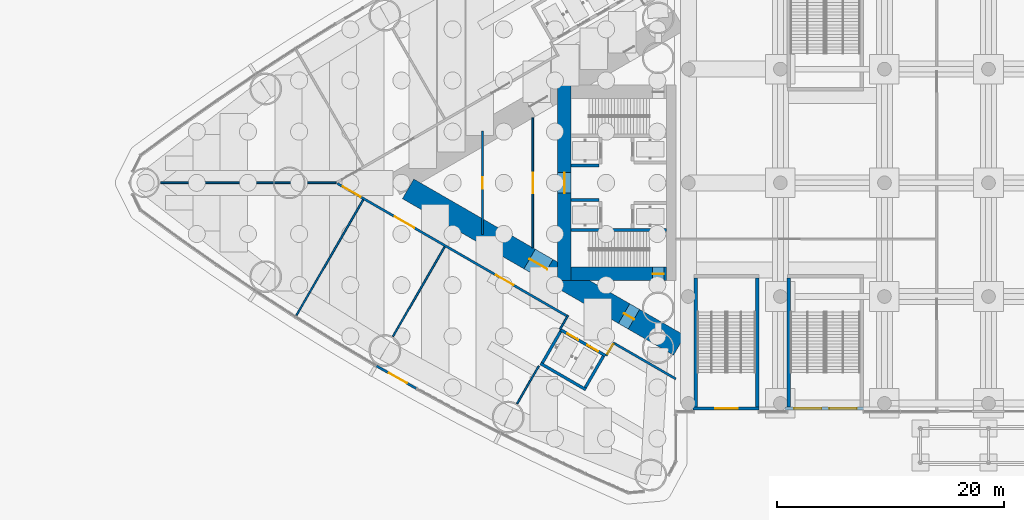
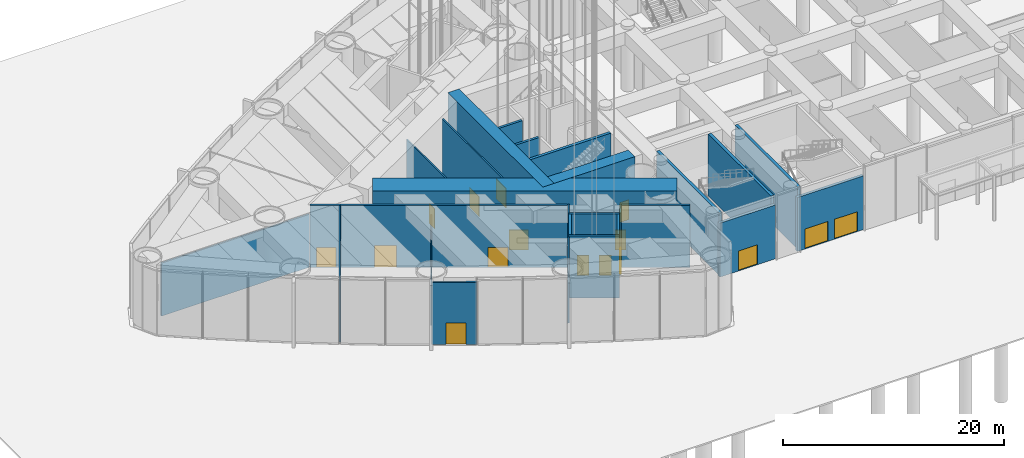
# One storey, part 20 of 43: 26 walls, 16 doors, 16 openings.
"""IFC4 building model written with IfcOpenShell, lengths in metres."""

from ifc_helpers import new_model, si_unit, direction, frame, frame_2d, origin, place, context, subcontext, project, spatial, rectangle, extrude, material, layer, layer_set, type_object, element, fill, save


model = new_model("IFC4")

# Units and contexts
model_context = context("Model", 3, precision=1e-05, world=origin(), true_north=direction((0.0, 1.0)))
body_context = subcontext(model_context, "Body", "Model", "MODEL_VIEW")
ifc_project = project(units=[si_unit("LENGTHUNIT", "METRE"), si_unit("AREAUNIT", "SQUARE_METRE"), si_unit("VOLUMEUNIT", "CUBIC_METRE"), si_unit("PLANEANGLEUNIT", "RADIAN"), si_unit("MASSUNIT", "GRAM", prefix="KILO")], contexts=[model_context])

# Site, building, storey
site_placement = place(None, origin())
site = spatial("IfcSite", under=ifc_project, at=site_placement, CompositionType="ELEMENT")
building_placement = place(site_placement, origin())
building = spatial("IfcBuilding", under=site, at=building_placement, Name="Lancet Gate Hotel", CompositionType="ELEMENT")
storey_placement = place(building_placement, origin())
storey = spatial("IfcBuildingStorey", under=building, at=storey_placement, Name="L00", CompositionType="ELEMENT", Elevation=0.0)

# Wall, openings, doors
ifc_material_1 = material(Name="Concrete C70/85", Category="concrete")
ifc_layer_1 = layer(ifc_material_1, 2.0)
ifc_layer_set_1 = layer_set([ifc_layer_1], Name="Buttress wall 2000")
wall_type_1 = type_object("IfcWallType", Name="Buttress wall 2000", PredefinedType="SHEAR", material=ifc_layer_set_1)
wall_1_placement = place(storey_placement, frame((-27.199951171875, -14.300048828125, 0.0), z_axis=(0.0, 0.0, 1.0), x_axis=(-0.866024044937, 0.500002353585, 0.0)))
wall_1 = element("IfcWall", 1, at=wall_1_placement, inside=storey, type_object=wall_type_1, Name="T1 buttress wall N L00", PredefinedType="SHEAR", context=body_context, shape_type="SweptSolid", body=[
    extrude(rectangle(XDim=27.533447265625, YDim=2.0, at=frame_2d((13.7666015625, 0.0))), origin(), (0.0, 0.0, 1.0), 7.199951171875),
])
opening_1_placement = place(wall_1_placement, frame((4.60009765625, 0.0, 0.0)))
opening_1 = element("IfcOpeningElement", 2, at=opening_1_placement, cuts=wall_1, Name="Opening T1-L00-LN", PredefinedType="OPENING", context=body_context, shape_type="SweptSolid", body=[
    extrude(rectangle(XDim=1.0, YDim=2.199951171875, at=frame_2d((0.5, 1.10009765625))), frame((0.0, 1.010009765625, 0.0), z_axis=(0.0, -1.0, 0.0), x_axis=(1.0, 0.0, 0.0)), (0.0, 0.0, 1.0), 2.02001953125),
])
opening_2_placement = place(wall_1_placement, frame((13.39453125, 0.0, 0.0)))
opening_2 = element("IfcOpeningElement", 3, at=opening_2_placement, cuts=wall_1, Name="Opening T1-L00-LHN", PredefinedType="OPENING", context=body_context, shape_type="SweptSolid", body=[
    extrude(rectangle(XDim=1.800048828125, YDim=2.199951171875, at=frame_2d((0.89990234375, 1.10009765625))), frame((0.0, 1.010009765625, 0.0), z_axis=(0.0, -1.0, 0.0), x_axis=(1.0, 0.0, 0.0)), (0.0, 0.0, 1.0), 2.02001953125),
])
ifc_material_2 = material(Name="Timber door set", Category="wood")
door_type_1 = type_object("IfcDoorType", Name="Lobby double door 1800", OperationType="DOUBLE_DOOR_SINGLE_SWING", PredefinedType="DOOR", material=ifc_material_2)
door_1_placement = place(opening_2_placement, origin())
door_1 = element("IfcDoor", 4, at=door_1_placement, inside=storey, type_object=door_type_1, Name="T1-L00-LHN", OperationType="DOUBLE_DOOR_SINGLE_SWING", OverallHeight=2.199951171875, OverallWidth=1.800048828125, PredefinedType="DOOR", context=body_context, shape_type="SweptSolid", body=[
    extrude(rectangle(XDim=1.800048828125, YDim=2.199951171875, at=frame_2d((0.89990234375, 1.10009765625))), frame((0.0, 0.02490234375, 0.0), z_axis=(0.0, -1.0, 0.0), x_axis=(1.0, 0.0, 0.0)), (0.0, 0.0, 1.0), 0.050048828125),
])
fill(opening_2, door_1)
ifc_material_3 = material(Name="Timber door set", Category="wood")
door_type_2 = type_object("IfcDoorType", Name="Stair lobby door 1000", OperationType="SINGLE_SWING_LEFT", PredefinedType="DOOR", material=ifc_material_3)
door_2_placement = place(opening_1_placement, origin())
door_2 = element("IfcDoor", 5, at=door_2_placement, inside=storey, type_object=door_type_2, Name="T1-L00-LN", OperationType="SINGLE_SWING_LEFT", OverallHeight=2.199951171875, OverallWidth=1.0, PredefinedType="DOOR", context=body_context, shape_type="SweptSolid", body=[
    extrude(rectangle(XDim=1.0, YDim=2.199951171875, at=frame_2d((0.5, 1.10009765625))), frame((0.0, 0.02490234375, 0.0), z_axis=(0.0, -1.0, 0.0), x_axis=(1.0, 0.0, 0.0)), (0.0, 0.0, 1.0), 0.050048828125),
])
fill(opening_1, door_2)

# Wall, opening, door
ifc_material_4 = material(Name="Concrete C70/85", Category="concrete")
ifc_layer_2 = layer(ifc_material_4, 1.199951171875)
ifc_layer_set_2 = layer_set([ifc_layer_2], Name="Core wall 1200")
wall_type_2 = type_object("IfcWallType", Name="Core wall 1200", PredefinedType="SHEAR", material=ifc_layer_set_2)
wall_2_placement = place(storey_placement, frame((-37.300048828125, 8.60009765625, 0.0), z_axis=(0.0, 0.0, 1.0), x_axis=(0.0, -1.0, 0.0)))
wall_2 = element("IfcWall", 6, at=wall_2_placement, inside=storey, type_object=wall_type_2, Name="T1 core wall back L00", PredefinedType="SHEAR", context=body_context, shape_type="SweptSolid", body=[
    extrude(rectangle(XDim=17.2001953125, YDim=1.199951171875, at=frame_2d((8.60009765625, 0.0))), origin(), (0.0, 0.0, 1.0), 7.199951171875),
])
opening_3_placement = place(wall_2_placement, frame((7.699951171875, 0.0, 0.0)))
opening_3 = element("IfcOpeningElement", 7, at=opening_3_placement, cuts=wall_2, Name="Opening T1-L00-LL", PredefinedType="OPENING", context=body_context, shape_type="SweptSolid", body=[
    extrude(rectangle(XDim=1.800048828125, YDim=2.199951171875, at=frame_2d((0.89990234375, 1.10009765625))), frame((0.0, 0.60986328125, 0.0), z_axis=(0.0, -1.0, 0.0), x_axis=(1.0, 0.0, 0.0)), (0.0, 0.0, 1.0), 1.219970703125),
])
door_3_placement = place(opening_3_placement, origin())
door_3 = element("IfcDoor", 8, at=door_3_placement, inside=storey, type_object=door_type_1, Name="T1-L00-LL", OperationType="DOUBLE_DOOR_SINGLE_SWING", OverallHeight=2.199951171875, OverallWidth=1.800048828125, PredefinedType="DOOR", context=body_context, shape_type="SweptSolid", body=[
    extrude(rectangle(XDim=1.800048828125, YDim=2.199951171875, at=frame_2d((0.89990234375, 1.10009765625))), frame((0.0, 0.02490234375, 0.0), z_axis=(0.0, -1.0, 0.0), x_axis=(1.0, 0.0, 0.0)), (0.0, 0.0, 1.0), 0.050048828125),
])
fill(opening_3, door_3)

wall_3_placement = place(storey_placement, frame((-28.300048828125, -8.0, 0.0), z_axis=(0.0, 0.0, 1.0), x_axis=(-1.0, 0.0, 0.0)))
wall_3 = element("IfcWall", 9, at=wall_3_placement, inside=storey, type_object=wall_type_2, Name="T1 core wall side-N L00", PredefinedType="SHEAR", context=body_context, shape_type="SweptSolid", body=[
    extrude(rectangle(XDim=8.39990234375, YDim=1.199951171875, at=frame_2d((4.199951171875, 0.0))), origin(), (0.0, 0.0, 1.0), 7.199951171875),
])
opening_4_placement = place(wall_3_placement, frame((0.25, 0.0, 0.0)))
opening_4 = element("IfcOpeningElement", 10, at=opening_4_placement, cuts=wall_3, Name="Opening T1-L00-ST2", PredefinedType="OPENING", context=body_context, shape_type="SweptSolid", body=[
    extrude(rectangle(XDim=1.0, YDim=2.199951171875, at=frame_2d((0.5, 1.10009765625))), frame((0.0, 0.60986328125, 0.0), z_axis=(0.0, -1.0, 0.0), x_axis=(1.0, 0.0, 0.0)), (0.0, 0.0, 1.0), 1.219970703125),
])
ifc_material_5 = material(Name="Timber door set", Category="wood")
door_type_3 = type_object("IfcDoorType", Name="Stair door 1000", OperationType="SINGLE_SWING_RIGHT", PredefinedType="DOOR", material=ifc_material_5)
door_4_placement = place(opening_4_placement, origin())
door_4 = element("IfcDoor", 11, at=door_4_placement, inside=storey, type_object=door_type_3, Name="T1-L00-ST2", OperationType="SINGLE_SWING_RIGHT", OverallHeight=2.199951171875, OverallWidth=1.0, PredefinedType="DOOR", context=body_context, shape_type="SweptSolid", body=[
    extrude(rectangle(XDim=1.0, YDim=2.199951171875, at=frame_2d((0.5, 1.10009765625))), frame((0.0, 0.02490234375, 0.0), z_axis=(0.0, -1.0, 0.0), x_axis=(1.0, 0.0, 0.0)), (0.0, 0.0, 1.0), 0.050048828125),
])
fill(opening_4, door_4)

# Wall
ifc_material_6 = material(Name="Gypsum board partition")
ifc_layer_3 = layer(ifc_material_6, 0.199951171875)
ifc_layer_set_3 = layer_set([ifc_layer_3], Name="Corridor wall 200")
wall_type_3 = type_object("IfcWallType", Name="Corridor wall 200", PredefinedType="PARTITIONING", material=ifc_layer_set_3)
wall_4_placement = place(storey_placement, frame((-27.5, -17.244384765625, 0.0), z_axis=(0.0, 0.0, 1.0), x_axis=(-0.866027347857, 0.499996632752, 0.0)))
element("IfcWall", 12, at=wall_4_placement, inside=storey, type_object=wall_type_3, Name="T1 corridor wall 200 L00", PredefinedType="PARTITIONING", context=body_context, shape_type="SweptSolid", body=[
    extrude(rectangle(XDim=6.26904296875, YDim=0.199951171875, at=frame_2d((3.134521484375, 0.0))), origin(), (0.0, 0.0, 1.0), 6.85009765625),
])

# Wall, openings, doors
wall_5_placement = place(storey_placement, frame((-37.1201171875, -11.690185546875, 0.0), z_axis=(0.0, 0.0, 1.0), x_axis=(-0.866028803602, 0.499994111297, 0.0)))
wall_5 = element("IfcWall", 13, at=wall_5_placement, inside=storey, type_object=wall_type_3, Name="T1 corridor wall 200 L00", PredefinedType="PARTITIONING", context=body_context, shape_type="SweptSolid", body=[
    extrude(rectangle(XDim=23.260498046875, YDim=0.199951171875, at=frame_2d((11.63037109375, 0.0))), origin(), (0.0, 0.0, 1.0), 6.85009765625),
])
opening_5_placement = place(wall_5_placement, frame((20.909423828125, 0.0, 0.0)))
opening_5 = element("IfcOpeningElement", 14, at=opening_5_placement, cuts=wall_5, Name="Opening T1-L00-P005", PredefinedType="OPENING", context=body_context, shape_type="SweptSolid", body=[
    extrude(rectangle(XDim=1.800048828125, YDim=2.199951171875, at=frame_2d((0.89990234375, 1.10009765625))), frame((0.0, 0.10986328125, 0.0), z_axis=(0.0, -1.0, 0.0), x_axis=(1.0, 0.0, 0.0)), (0.0, 0.0, 1.0), 0.219970703125),
])
opening_6_placement = place(wall_5_placement, frame((15.4443359375, 0.0, 0.0)))
opening_6 = element("IfcOpeningElement", 15, at=opening_6_placement, cuts=wall_5, Name="Opening T1-L00-P006", PredefinedType="OPENING", context=body_context, shape_type="SweptSolid", body=[
    extrude(rectangle(XDim=2.0, YDim=2.39990234375, at=frame_2d((1.0, 1.199951171875))), frame((0.0, 0.10986328125, 0.0), z_axis=(0.0, -1.0, 0.0), x_axis=(1.0, 0.0, 0.0)), (0.0, 0.0, 1.0), 0.219970703125),
])
opening_7_placement = place(wall_5_placement, frame((5.364990234375, 0.0, 0.0)))
opening_7 = element("IfcOpeningElement", 16, at=opening_7_placement, cuts=wall_5, Name="Opening T1-L00-P007", PredefinedType="OPENING", context=body_context, shape_type="SweptSolid", body=[
    extrude(rectangle(XDim=1.800048828125, YDim=2.199951171875, at=frame_2d((0.89990234375, 1.10009765625))), frame((0.0, 0.10986328125, 0.0), z_axis=(0.0, -1.0, 0.0), x_axis=(1.0, 0.0, 0.0)), (0.0, 0.0, 1.0), 0.219970703125),
])
ifc_material_7 = material(Name="Timber door set", Category="wood")
door_type_4 = type_object("IfcDoorType", Name="Double door 1800", OperationType="DOUBLE_DOOR_SINGLE_SWING", PredefinedType="DOOR", material=ifc_material_7)
door_5_placement = place(opening_5_placement, origin())
door_5 = element("IfcDoor", 17, at=door_5_placement, inside=storey, type_object=door_type_4, Name="T1-L00-P005", OperationType="DOUBLE_DOOR_SINGLE_SWING", OverallHeight=2.199951171875, OverallWidth=1.800048828125, PredefinedType="DOOR", context=body_context, shape_type="SweptSolid", body=[
    extrude(rectangle(XDim=1.800048828125, YDim=2.199951171875, at=frame_2d((0.89990234375, 1.10009765625))), frame((0.0, 0.02490234375, 0.0), z_axis=(0.0, -1.0, 0.0), x_axis=(1.0, 0.0, 0.0)), (0.0, 0.0, 1.0), 0.050048828125),
])
fill(opening_5, door_5)
door_6_placement = place(opening_7_placement, origin())
door_6 = element("IfcDoor", 18, at=door_6_placement, inside=storey, type_object=door_type_4, Name="T1-L00-P007", OperationType="DOUBLE_DOOR_SINGLE_SWING", OverallHeight=2.199951171875, OverallWidth=1.800048828125, PredefinedType="DOOR", context=body_context, shape_type="SweptSolid", body=[
    extrude(rectangle(XDim=1.800048828125, YDim=2.199951171875, at=frame_2d((0.89990234375, 1.10009765625))), frame((0.0, 0.02490234375, 0.0), z_axis=(0.0, -1.0, 0.0), x_axis=(1.0, 0.0, 0.0)), (0.0, 0.0, 1.0), 0.050048828125),
])
fill(opening_7, door_6)
ifc_material_8 = material(Name="Timber door set", Category="wood")
door_type_5 = type_object("IfcDoorType", Name="Plant room double door 2000", OperationType="DOUBLE_DOOR_SINGLE_SWING", PredefinedType="DOOR", material=ifc_material_8)
door_7_placement = place(opening_6_placement, origin())
door_7 = element("IfcDoor", 19, at=door_7_placement, inside=storey, type_object=door_type_5, Name="T1-L00-P006", OperationType="DOUBLE_DOOR_SINGLE_SWING", OverallHeight=2.39990234375, OverallWidth=2.0, PredefinedType="DOOR", context=body_context, shape_type="SweptSolid", body=[
    extrude(rectangle(XDim=2.0, YDim=2.39990234375, at=frame_2d((1.0, 1.199951171875))), frame((0.0, 0.02490234375, 0.0), z_axis=(0.0, -1.0, 0.0), x_axis=(1.0, 0.0, 0.0)), (0.0, 0.0, 1.0), 0.050048828125),
])
fill(opening_6, door_7)

# Wall, opening, door
ifc_material_9 = material(Name="Glazed aluminium screen", Category="aluminium")
ifc_layer_4 = layer(ifc_material_9, 0.199951171875)
ifc_layer_set_4 = layer_set([ifc_layer_4], Name="Glazed entrance screen 200")
wall_type_4 = type_object("IfcWallType", Name="Glazed entrance screen 200", PredefinedType="STANDARD", material=ifc_layer_set_4)
wall_6_placement = place(storey_placement, frame((-50.26416015625, -18.1259765625, 0.0), z_axis=(0.0, 0.0, 1.0), x_axis=(-0.870206768985, 0.49268669478, 0.0)))
wall_6 = element("IfcWall", 20, at=wall_6_placement, inside=storey, type_object=wall_type_4, Name="T1 entrance screen L00", PredefinedType="STANDARD", context=body_context, shape_type="SweptSolid", body=[
    extrude(rectangle(XDim=4.14013671875, YDim=0.199951171875, at=frame_2d((2.070068359375, 0.0))), origin(), (0.0, 0.0, 1.0), 6.85009765625),
])
opening_8_placement = place(wall_6_placement, frame((1.02001953125, 0.0, 0.0)))
opening_8 = element("IfcOpeningElement", 21, at=opening_8_placement, cuts=wall_6, Name="Opening T1-ENT-N", PredefinedType="OPENING", context=body_context, shape_type="SweptSolid", body=[
    extrude(rectangle(XDim=1.800048828125, YDim=2.39990234375, at=frame_2d((0.89990234375, 1.199951171875))), frame((0.0, 0.10986328125, 0.0), z_axis=(0.0, -1.0, 0.0), x_axis=(1.0, 0.0, 0.0)), (0.0, 0.0, 1.0), 0.219970703125),
])
ifc_material_10 = material(Name="Glazed aluminium door set", Category="aluminium")
door_type_6 = type_object("IfcDoorType", Name="Entrance door 1800", OperationType="DOUBLE_DOOR_SINGLE_SWING", PredefinedType="DOOR", material=ifc_material_10)
door_8_placement = place(opening_8_placement, origin())
door_8 = element("IfcDoor", 22, at=door_8_placement, inside=storey, type_object=door_type_6, Name="T1-ENT-N", OperationType="SINGLE_SWING_LEFT", OverallHeight=2.39990234375, OverallWidth=1.800048828125, PredefinedType="DOOR", context=body_context, shape_type="SweptSolid", body=[
    extrude(rectangle(XDim=1.800048828125, YDim=2.39990234375, at=frame_2d((0.89990234375, 1.199951171875))), frame((0.0, 0.02490234375, 0.0), z_axis=(0.0, -1.0, 0.0), x_axis=(1.0, 0.0, 0.0)), (0.0, 0.0, 1.0), 0.050048828125),
])
fill(opening_8, door_8)

# Wall, openings, doors
ifc_material_11 = material(Name="Gypsum board partition")
ifc_layer_5 = layer(ifc_material_11, 0.25)
ifc_layer_set_5 = layer_set([ifc_layer_5], Name="Lift shaft partition 250")
wall_type_5 = type_object("IfcWallType", Name="Lift shaft partition 250", PredefinedType="PARTITIONING", material=ifc_layer_set_5)
wall_7_placement = place(storey_placement, frame((-33.695556640625, -15.197265625, 0.0), z_axis=(0.0, 0.0, 1.0), x_axis=(-0.865976953817, 0.500083908417, 0.0)))
wall_7 = element("IfcWall", 23, at=wall_7_placement, inside=storey, type_object=wall_type_5, Name="T1 lift shaft wall EX L00", PredefinedType="PARTITIONING", context=body_context, shape_type="SweptSolid", body=[
    extrude(rectangle(XDim=4.599365234375, YDim=0.25, at=frame_2d((2.2998046875, 0.0))), origin(), (0.0, 0.0, 1.0), 6.85009765625),
])
opening_9_placement = place(wall_7_placement, frame((0.75, 0.0, 0.0)))
opening_9 = element("IfcOpeningElement", 24, at=opening_9_placement, cuts=wall_7, Name="Opening T1-EX1-L00", PredefinedType="OPENING", context=body_context, shape_type="SweptSolid", body=[
    extrude(rectangle(XDim=1.10009765625, YDim=2.199951171875, at=frame_2d((0.550048828125, 1.10009765625))), frame((0.0, 0.135009765625, 0.0), z_axis=(0.0, -1.0, 0.0), x_axis=(1.0, 0.0, 0.0)), (0.0, 0.0, 1.0), 0.27001953125),
])
opening_10_placement = place(wall_7_placement, frame((2.75, 0.0, 0.0)))
opening_10 = element("IfcOpeningElement", 25, at=opening_10_placement, cuts=wall_7, Name="Opening T1-EX2-L00", PredefinedType="OPENING", context=body_context, shape_type="SweptSolid", body=[
    extrude(rectangle(XDim=1.10009765625, YDim=2.199951171875, at=frame_2d((0.550048828125, 1.10009765625))), frame((0.0, 0.135009765625, 0.0), z_axis=(0.0, -1.0, 0.0), x_axis=(1.0, 0.0, 0.0)), (0.0, 0.0, 1.0), 0.27001953125),
])
ifc_material_12 = material(Name="Steel door set", Category="steel")
door_type_7 = type_object("IfcDoorType", Name="Lift landing door 1100", OperationType="DOUBLE_DOOR_SLIDING", PredefinedType="USERDEFINED", material=ifc_material_12)
door_9_placement = place(opening_9_placement, origin())
door_9 = element("IfcDoor", 26, at=door_9_placement, inside=storey, type_object=door_type_7, Name="T1-EX1-L00", ObjectType="LIFT LANDING DOOR", OperationType="DOUBLE_DOOR_SLIDING", OverallHeight=2.199951171875, OverallWidth=1.10009765625, PredefinedType="USERDEFINED", context=body_context, shape_type="SweptSolid", body=[
    extrude(rectangle(XDim=1.10009765625, YDim=2.199951171875, at=frame_2d((0.550048828125, 1.10009765625))), frame((0.0, 0.02490234375, 0.0), z_axis=(0.0, -1.0, 0.0), x_axis=(1.0, 0.0, 0.0)), (0.0, 0.0, 1.0), 0.050048828125),
])
fill(opening_9, door_9)
door_10_placement = place(opening_10_placement, origin())
door_10 = element("IfcDoor", 27, at=door_10_placement, inside=storey, type_object=door_type_7, Name="T1-EX2-L00", ObjectType="LIFT LANDING DOOR", OperationType="DOUBLE_DOOR_SLIDING", OverallHeight=2.199951171875, OverallWidth=1.10009765625, PredefinedType="USERDEFINED", context=body_context, shape_type="SweptSolid", body=[
    extrude(rectangle(XDim=1.10009765625, YDim=2.199951171875, at=frame_2d((0.550048828125, 1.10009765625))), frame((0.0, 0.02490234375, 0.0), z_axis=(0.0, -1.0, 0.0), x_axis=(1.0, 0.0, 0.0)), (0.0, 0.0, 1.0), 0.050048828125),
])
fill(opening_10, door_10)

# Walls
wall_8_placement = place(storey_placement, frame((-35.42041015625, -18.185791015625, 0.0), z_axis=(0.0, 0.0, 1.0), x_axis=(-0.865990227814, 0.50006092162, 0.0)))
element("IfcWall", 28, at=wall_8_placement, inside=storey, type_object=wall_type_5, Name="T1 lift shaft wall EX L00", PredefinedType="PARTITIONING", context=body_context, shape_type="SweptSolid", body=[
    extrude(rectangle(XDim=4.599609375, YDim=0.25, at=frame_2d((2.2998046875, 0.0))), origin(), (0.0, 0.0, 1.0), 6.85009765625),
])
wall_9_placement = place(storey_placement, frame((-33.8662109375, -15.242919921875, 0.0), z_axis=(0.0, 0.0, 1.0), x_axis=(-0.499929347863, -0.866066190972, 0.0)))
element("IfcWall", 29, at=wall_9_placement, inside=storey, type_object=wall_type_5, Name="T1 lift shaft wall EX L00", PredefinedType="PARTITIONING", context=body_context, shape_type="SweptSolid", body=[
    extrude(rectangle(XDim=3.20068359375, YDim=0.25, at=frame_2d((1.600341796875, 0.0))), origin(), (0.0, 0.0, 1.0), 6.85009765625),
])
wall_10_placement = place(storey_placement, frame((-37.6328125, -13.068115234375, 0.0), z_axis=(0.0, 0.0, 1.0), x_axis=(-0.499872130319, -0.866099216793, 0.0)))
element("IfcWall", 30, at=wall_10_placement, inside=storey, type_object=wall_type_5, Name="T1 lift shaft wall EX L00", PredefinedType="PARTITIONING", context=body_context, shape_type="SweptSolid", body=[
    extrude(rectangle(XDim=3.200439453125, YDim=0.25, at=frame_2d((1.60009765625, 0.0))), origin(), (0.0, 0.0, 1.0), 6.85009765625),
])
ifc_material_13 = material(Name="Concrete C50/60", Category="concrete")
ifc_layer_6 = layer(ifc_material_13, 0.25)
ifc_layer_set_6 = layer_set([ifc_layer_6], Name="Lift shaft wall 250")
wall_type_6 = type_object("IfcWallType", Name="Lift shaft wall 250", PredefinedType="SHEAR", material=ifc_layer_set_6)
for number, where, z_axis, x_axis, name in (
    (31, (-34.25, 1.52490234375, 0.0), (0.0, 0.0, 1.0), (-1.0, 0.0, 0.0), "T1 core wall pass2-S L00"),
    (32, (-34.25, -1.52490234375, 0.0), (0.0, 0.0, 1.0), (-1.0, 0.0, 0.0), "T1 core wall pass2-N L00"),
):
    element("IfcWall", number, at=place(storey_placement, frame(where, z_axis=z_axis, x_axis=x_axis)), inside=storey, type_object=wall_type_6, Name=name, PredefinedType="SHEAR", context=body_context, shape_type="SweptSolid", body=[
        extrude(rectangle(XDim=2.449951171875, YDim=0.25, at=frame_2d((1.22509765625, 0.0))), origin(), (0.0, 0.0, 1.0), 7.199951171875),
    ])
ifc_material_14 = material(Name="Gypsum board partition")
ifc_layer_7 = layer(ifc_material_14, 0.14990234375)
ifc_layer_set_7 = layer_set([ifc_layer_7], Name="Party wall 150")
wall_type_7 = type_object("IfcWallType", Name="Party wall 150", PredefinedType="PARTITIONING", material=ifc_layer_set_7)
wall_11_placement = place(storey_placement, frame((-47.826904296875, -5.624267578125, 0.0), z_axis=(0.0, 0.0, 1.0), x_axis=(-0.499995404498, -0.866028056982, 0.0)))
element("IfcWall", 33, at=wall_11_placement, inside=storey, type_object=wall_type_7, Name="T1 party wall 150 L00", PredefinedType="PARTITIONING", context=body_context, shape_type="SweptSolid", body=[
    extrude(rectangle(XDim=9.1103515625, YDim=0.14990234375, at=frame_2d((4.55517578125, 0.0))), origin(), (0.0, 0.0, 1.0), 5.85009765625),
])
wall_12_placement = place(storey_placement, frame((-54.99609375, -1.485107421875, 0.0), z_axis=(0.0, 0.0, 1.0), x_axis=(-0.500002871521, -0.866023745905, 0.0)))
element("IfcWall", 34, at=wall_12_placement, inside=storey, type_object=wall_type_7, Name="T1 party wall 150 L00", PredefinedType="PARTITIONING", context=body_context, shape_type="SweptSolid", body=[
    extrude(rectangle(XDim=11.7568359375, YDim=0.14990234375, at=frame_2d((5.87841796875, 0.0))), origin(), (0.0, 0.0, 1.0), 6.85009765625),
])
wall_13_placement = place(storey_placement, frame((-57.3681640625, 0.0, 0.0), z_axis=(0.0, 0.0, 1.0), x_axis=(-1.0, 0.0, 0.0)))
element("IfcWall", 35, at=wall_13_placement, inside=storey, type_object=wall_type_7, Name="T1 party wall 150 L00", PredefinedType="PARTITIONING", context=body_context, shape_type="SweptSolid", body=[
    extrude(rectangle(XDim=15.447021484375, YDim=0.14990234375, at=frame_2d((7.7236328125, 0.0))), origin(), (0.0, 0.0, 1.0), 5.85009765625),
])
wall_14_placement = place(storey_placement, frame((-39.55078125, -16.118408203125, 0.0), z_axis=(0.0, 0.0, 1.0), x_axis=(-0.499986503906, -0.866033195618, 0.0)))
element("IfcWall", 36, at=wall_14_placement, inside=storey, type_object=wall_type_7, Name="T1 party wall 150 L00", PredefinedType="PARTITIONING", context=body_context, shape_type="SweptSolid", body=[
    extrude(rectangle(XDim=3.81494140625, YDim=0.14990234375, at=frame_2d((1.907470703125, 0.0))), origin(), (0.0, 0.0, 1.0), 6.85009765625),
])

# Wall, openings, doors
ifc_material_15 = material(Name="Dense concrete blockwork", Category="masonry")
ifc_layer_8 = layer(ifc_material_15, 0.300048828125)
ifc_layer_set_8 = layer_set([ifc_layer_8], Name="Podium stair enclosure wall 300")
wall_type_8 = type_object("IfcWallType", Name="Podium stair enclosure wall 300", PredefinedType="SOLIDWALL", material=ifc_layer_set_8)
wall_15_placement = place(storey_placement, frame((-11.0, -19.85009765625, 0.0), z_axis=(0.0, 0.0, 1.0), x_axis=(-1.0, 0.0, 0.0)))
wall_15 = element("IfcWall", 37, at=wall_15_placement, inside=storey, type_object=wall_type_8, Name="Podium stair PS3 encl wall outer L00", PredefinedType="SOLIDWALL", context=body_context, shape_type="SweptSolid", body=[
    extrude(rectangle(XDim=6.903076171875, YDim=0.300048828125, at=frame_2d((3.45166015625, 0.0))), origin(), (0.0, 0.0, 1.0), 5.949951171875),
])
opening_11_placement = place(wall_15_placement, frame((3.699951171875, 0.0, 0.0)))
opening_11 = element("IfcOpeningElement", 38, at=opening_11_placement, cuts=wall_15, Name="Opening POD-L00-PS3-EX", PredefinedType="OPENING", context=body_context, shape_type="SweptSolid", body=[
    extrude(rectangle(XDim=2.39990234375, YDim=2.199951171875, at=frame_2d((1.199951171875, 1.10009765625))), frame((0.0, 0.159912109375, 0.0), z_axis=(0.0, -1.0, 0.0), x_axis=(1.0, 0.0, 0.0)), (0.0, 0.0, 1.0), 0.320068359375),
])
opening_12_placement = place(wall_15_placement, frame((0.60009765625, 0.0, 0.0)))
opening_12 = element("IfcOpeningElement", 39, at=opening_12_placement, cuts=wall_15, Name="Opening POD-L00-PS3-EX2", PredefinedType="OPENING", context=body_context, shape_type="SweptSolid", body=[
    extrude(rectangle(XDim=2.39990234375, YDim=2.199951171875, at=frame_2d((1.199951171875, 1.10009765625))), frame((0.0, 0.159912109375, 0.0), z_axis=(0.0, -1.0, 0.0), x_axis=(1.0, 0.0, 0.0)), (0.0, 0.0, 1.0), 0.320068359375),
])
ifc_material_16 = material(Name="Timber door set", Category="wood")
door_type_8 = type_object("IfcDoorType", Name="Exit double door 2400", OperationType="DOUBLE_DOOR_SINGLE_SWING", PredefinedType="DOOR", material=ifc_material_16)
door_11_placement = place(opening_11_placement, origin())
door_11 = element("IfcDoor", 40, at=door_11_placement, inside=storey, type_object=door_type_8, Name="POD-L00-PS3-EX", OperationType="DOUBLE_DOOR_SINGLE_SWING", OverallHeight=2.199951171875, OverallWidth=2.39990234375, PredefinedType="DOOR", context=body_context, shape_type="SweptSolid", body=[
    extrude(rectangle(XDim=2.39990234375, YDim=2.199951171875, at=frame_2d((1.199951171875, 1.10009765625))), frame((0.0, 0.02490234375, 0.0), z_axis=(0.0, -1.0, 0.0), x_axis=(1.0, 0.0, 0.0)), (0.0, 0.0, 1.0), 0.050048828125),
])
fill(opening_11, door_11)
door_12_placement = place(opening_12_placement, origin())
door_12 = element("IfcDoor", 41, at=door_12_placement, inside=storey, type_object=door_type_8, Name="POD-L00-PS3-EX2", OperationType="DOUBLE_DOOR_SINGLE_SWING", OverallHeight=2.199951171875, OverallWidth=2.39990234375, PredefinedType="DOOR", context=body_context, shape_type="SweptSolid", body=[
    extrude(rectangle(XDim=2.39990234375, YDim=2.199951171875, at=frame_2d((1.199951171875, 1.10009765625))), frame((0.0, 0.02490234375, 0.0), z_axis=(0.0, -1.0, 0.0), x_axis=(1.0, 0.0, 0.0)), (0.0, 0.0, 1.0), 0.050048828125),
])
fill(opening_12, door_12)

# Wall
wall_16_placement = place(storey_placement, frame((-17.550048828125, -8.3798828125, 0.0), z_axis=(0.0, 0.0, 1.0), x_axis=(0.0, -1.0, 0.0)))
element("IfcWall", 42, at=wall_16_placement, inside=storey, type_object=wall_type_8, Name="Podium stair PS3 encl wall far L00", PredefinedType="SOLIDWALL", context=body_context, shape_type="SweptSolid", body=[
    extrude(rectangle(XDim=11.320068359375, YDim=0.300048828125, at=frame_2d((5.66015625, 0.0))), origin(), (0.0, 0.0, 1.0), 6.85009765625),
])

# Wall, opening, door
wall_17_placement = place(storey_placement, frame((-20.199951171875, -19.85009765625, 0.0), z_axis=(0.0, 0.0, 1.0), x_axis=(-1.0, 0.0, 0.0)))
wall_17 = element("IfcWall", 43, at=wall_17_placement, inside=storey, type_object=wall_type_8, Name="Podium stair PS6 encl wall outer L00", PredefinedType="SOLIDWALL", context=body_context, shape_type="SweptSolid", body=[
    extrude(rectangle(XDim=5.80322265625, YDim=0.300048828125, at=frame_2d((2.901611328125, 0.0))), origin(), (0.0, 0.0, 1.0), 5.949951171875),
])
opening_13_placement = place(wall_17_placement, frame((1.85009765625, 0.0, 0.0)))
opening_13 = element("IfcOpeningElement", 44, at=opening_13_placement, cuts=wall_17, Name="Opening POD-L00-PS6-EX", PredefinedType="OPENING", context=body_context, shape_type="SweptSolid", body=[
    extrude(rectangle(XDim=2.0, YDim=2.199951171875, at=frame_2d((1.0, 1.10009765625))), frame((0.0, 0.159912109375, 0.0), z_axis=(0.0, -1.0, 0.0), x_axis=(1.0, 0.0, 0.0)), (0.0, 0.0, 1.0), 0.320068359375),
])
ifc_material_17 = material(Name="Timber door set", Category="wood")
door_type_9 = type_object("IfcDoorType", Name="Exit double door 2000", OperationType="DOUBLE_DOOR_SINGLE_SWING", PredefinedType="DOOR", material=ifc_material_17)
door_13_placement = place(opening_13_placement, origin())
door_13 = element("IfcDoor", 45, at=door_13_placement, inside=storey, type_object=door_type_9, Name="POD-L00-PS6-EX", OperationType="DOUBLE_DOOR_SINGLE_SWING", OverallHeight=2.199951171875, OverallWidth=2.0, PredefinedType="DOOR", context=body_context, shape_type="SweptSolid", body=[
    extrude(rectangle(XDim=2.0, YDim=2.199951171875, at=frame_2d((1.0, 1.10009765625))), frame((0.0, 0.02490234375, 0.0), z_axis=(0.0, -1.0, 0.0), x_axis=(1.0, 0.0, 0.0)), (0.0, 0.0, 1.0), 0.050048828125),
])
fill(opening_13, door_13)

# Walls
for number, where, z_axis, x_axis, name in (
    (46, (-20.35009765625, -8.3798828125, 0.0), (0.0, 0.0, 1.0), (0.0, -1.0, 0.0), "Podium stair PS6 encl wall near L00"),
    (47, (-25.75, -8.3798828125, 0.0), (0.0, 0.0, 1.0), (0.0, -1.0, 0.0), "Podium stair PS6 encl wall far L00"),
):
    element("IfcWall", number, at=place(storey_placement, frame(where, z_axis=z_axis, x_axis=x_axis)), inside=storey, type_object=wall_type_8, Name=name, PredefinedType="SOLIDWALL", context=body_context, shape_type="SweptSolid", body=[
        extrude(rectangle(XDim=11.320068359375, YDim=0.300048828125, at=frame_2d((5.66015625, 0.0))), origin(), (0.0, 0.0, 1.0), 6.85009765625),
    ])
ifc_material_18 = material(Name="Gypsum board partition")
ifc_layer_9 = layer(ifc_material_18, 0.14990234375)
ifc_layer_set_9 = layer_set([ifc_layer_9], Name="Service room wall 150")
wall_type_9 = type_object("IfcWallType", Name="Service room wall 150", PredefinedType="PARTITIONING", material=ifc_layer_set_9)
wall_18_placement = place(storey_placement, frame((-36.9755859375, -11.658203125, 0.0), z_axis=(0.0, 0.0, 1.0), x_axis=(-0.50008355685, -0.86597715684, 0.0)))
element("IfcWall", 48, at=wall_18_placement, inside=storey, type_object=wall_type_9, Name="T1 service room wall 150 L00", PredefinedType="PARTITIONING", context=body_context, shape_type="SweptSolid", body=[
    extrude(rectangle(XDim=1.404541015625, YDim=0.14990234375, at=frame_2d((0.7021484375, 0.0))), origin(), (0.0, 0.0, 1.0), 6.85009765625),
])

# Wall, opening, door
wall_19_placement = place(storey_placement, frame((-33.62060546875, -15.217529296875, 0.0), z_axis=(0.0, 0.0, 1.0), x_axis=(0.518424923641, 0.855123148177, 0.0)))
wall_19 = element("IfcWall", 49, at=wall_19_placement, inside=storey, type_object=wall_type_9, Name="T1 service room wall 150 L00", PredefinedType="PARTITIONING", context=body_context, shape_type="SweptSolid", body=[
    extrude(rectangle(XDim=1.4052734375, YDim=0.14990234375, at=frame_2d((0.70263671875, 0.0))), origin(), (0.0, 0.0, 1.0), 6.85009765625),
])
opening_14_placement = place(wall_19_placement, frame((0.20263671875, 0.0, 0.0)))
opening_14 = element("IfcOpeningElement", 50, at=opening_14_placement, cuts=wall_19, Name="Opening T1-L00-P008", PredefinedType="OPENING", context=body_context, shape_type="SweptSolid", body=[
    extrude(rectangle(XDim=1.0, YDim=2.199951171875, at=frame_2d((0.5, 1.10009765625))), frame((0.0, 0.0849609375, 0.0), z_axis=(0.0, -1.0, 0.0), x_axis=(1.0, 0.0, 0.0)), (0.0, 0.0, 1.0), 0.169921875),
])
ifc_material_19 = material(Name="Timber door set", Category="wood")
door_type_10 = type_object("IfcDoorType", Name="Service door 1000", OperationType="SINGLE_SWING_LEFT", PredefinedType="DOOR", material=ifc_material_19)
door_14_placement = place(opening_14_placement, origin())
door_14 = element("IfcDoor", 51, at=door_14_placement, inside=storey, type_object=door_type_10, Name="T1-L00-P008", OperationType="SINGLE_SWING_LEFT", OverallHeight=2.199951171875, OverallWidth=1.0, PredefinedType="DOOR", context=body_context, shape_type="SweptSolid", body=[
    extrude(rectangle(XDim=1.0, YDim=2.199951171875, at=frame_2d((0.5, 1.10009765625))), frame((0.0, 0.02490234375, 0.0), z_axis=(0.0, -1.0, 0.0), x_axis=(1.0, 0.0, 0.0)), (0.0, 0.0, 1.0), 0.050048828125),
])
fill(opening_14, door_14)

wall_20_placement = place(storey_placement, frame((-40.074951171875, 5.7119140625, 0.0), z_axis=(0.0, 0.0, 1.0), x_axis=(0.0, -1.0, 0.0)))
wall_20 = element("IfcWall", 52, at=wall_20_placement, inside=storey, type_object=wall_type_9, Name="T1 service room wall 150 L00", PredefinedType="PARTITIONING", context=body_context, shape_type="SweptSolid", body=[
    extrude(rectangle(XDim=11.423828125, YDim=0.14990234375, at=frame_2d((5.7119140625, 0.0))), origin(), (0.0, 0.0, 1.0), 6.85009765625),
])
opening_15_placement = place(wall_20_placement, frame((4.811767578125, 0.0, 0.0)))
opening_15 = element("IfcOpeningElement", 53, at=opening_15_placement, cuts=wall_20, Name="Opening T1-L00-LH", PredefinedType="OPENING", context=body_context, shape_type="SweptSolid", body=[
    extrude(rectangle(XDim=1.800048828125, YDim=2.199951171875, at=frame_2d((0.89990234375, 1.10009765625))), frame((0.0, 0.0849609375, 0.0), z_axis=(0.0, -1.0, 0.0), x_axis=(1.0, 0.0, 0.0)), (0.0, 0.0, 1.0), 0.169921875),
])
door_15_placement = place(opening_15_placement, origin())
door_15 = element("IfcDoor", 54, at=door_15_placement, inside=storey, type_object=door_type_1, Name="T1-L00-LH", OperationType="DOUBLE_DOOR_SINGLE_SWING", OverallHeight=2.199951171875, OverallWidth=1.800048828125, PredefinedType="DOOR", context=body_context, shape_type="SweptSolid", body=[
    extrude(rectangle(XDim=1.800048828125, YDim=2.199951171875, at=frame_2d((0.89990234375, 1.10009765625))), frame((0.0, 0.02490234375, 0.0), z_axis=(0.0, -1.0, 0.0), x_axis=(1.0, 0.0, 0.0)), (0.0, 0.0, 1.0), 0.050048828125),
])
fill(opening_15, door_15)

wall_21_placement = place(storey_placement, frame((-44.5, 4.542724609375, 0.0), z_axis=(0.0, 0.0, 1.0), x_axis=(0.0, -1.0, 0.0)))
wall_21 = element("IfcWall", 55, at=wall_21_placement, inside=storey, type_object=wall_type_9, Name="T1 service room wall 150 L00", PredefinedType="PARTITIONING", context=body_context, shape_type="SweptSolid", body=[
    extrude(rectangle(XDim=9.08544921875, YDim=0.14990234375, at=frame_2d((4.542724609375, 0.0))), origin(), (0.0, 0.0, 1.0), 6.85009765625),
])
opening_16_placement = place(wall_21_placement, frame((4.042724609375, 0.0, 0.0)))
opening_16 = element("IfcOpeningElement", 56, at=opening_16_placement, cuts=wall_21, Name="Opening T1-L00-SV", PredefinedType="OPENING", context=body_context, shape_type="SweptSolid", body=[
    extrude(rectangle(XDim=1.0, YDim=2.199951171875, at=frame_2d((0.5, 1.10009765625))), frame((0.0, 0.0849609375, 0.0), z_axis=(0.0, -1.0, 0.0), x_axis=(1.0, 0.0, 0.0)), (0.0, 0.0, 1.0), 0.169921875),
])
door_16_placement = place(opening_16_placement, origin())
door_16 = element("IfcDoor", 57, at=door_16_placement, inside=storey, type_object=door_type_10, Name="T1-L00-SV", OperationType="SINGLE_SWING_LEFT", OverallHeight=2.199951171875, OverallWidth=1.0, PredefinedType="DOOR", context=body_context, shape_type="SweptSolid", body=[
    extrude(rectangle(XDim=1.0, YDim=2.199951171875, at=frame_2d((0.5, 1.10009765625))), frame((0.0, 0.02490234375, 0.0), z_axis=(0.0, -1.0, 0.0), x_axis=(1.0, 0.0, 0.0)), (0.0, 0.0, 1.0), 0.050048828125),
])
fill(opening_16, door_16)

# Wall
ifc_material_20 = material(Name="Concrete C50/60", Category="concrete")
ifc_layer_10 = layer(ifc_material_20, 0.300048828125)
ifc_layer_set_10 = layer_set([ifc_layer_10], Name="Stair enclosure wall 300")
wall_type_10 = type_object("IfcWallType", Name="Stair enclosure wall 300", PredefinedType="SHEAR", material=ifc_layer_set_10)
wall_22_placement = place(storey_placement, frame((-28.300048828125, -4.14990234375, 0.0), z_axis=(0.0, 0.0, 1.0), x_axis=(-1.0, 0.0, 0.0)))
element("IfcWall", 58, at=wall_22_placement, inside=storey, type_object=wall_type_10, Name="T1 core wall stair-N L00", PredefinedType="SHEAR", context=body_context, shape_type="SweptSolid", body=[
    extrude(rectangle(XDim=8.39990234375, YDim=0.300048828125, at=frame_2d((4.199951171875, 0.0))), origin(), (0.0, 0.0, 1.0), 7.199951171875),
])

save(model, "model.ifc")
